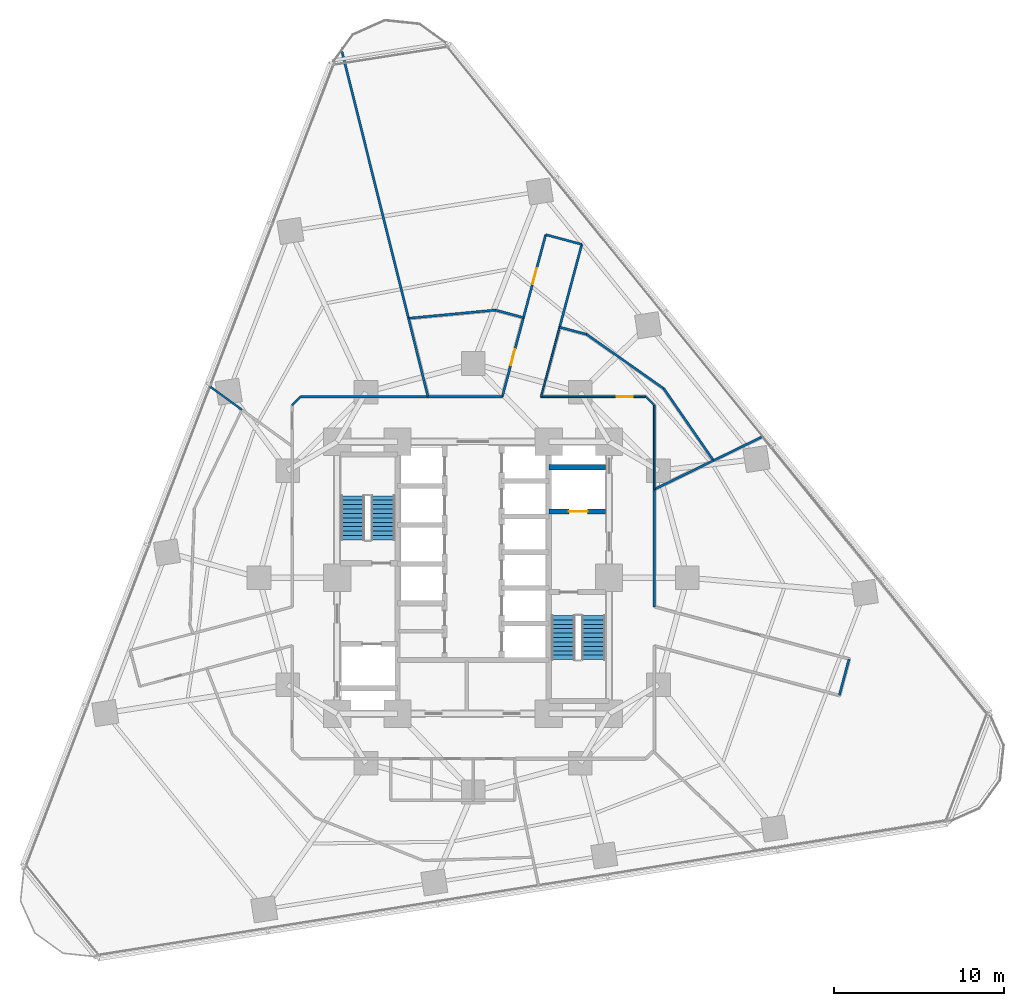
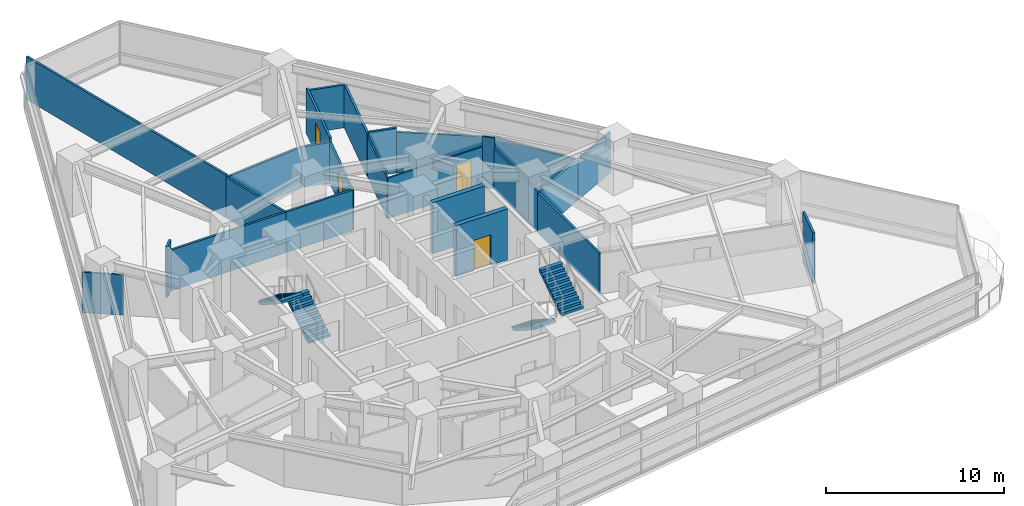
# One storey, part 9 of 14: 25 walls, 4 doors, 4 stair flights, 4 openings, 2 elements without a shape of their own.
"""IFC4 building model written with IfcOpenShell, lengths in metres."""

from ifc_helpers import new_model, si_unit, direction, frame, frame_2d, origin, place, context, subcontext, project, spatial, polyline, rectangle, outline, extrude, material, layer, layer_set, type_object, element, fill, aggregate, save


model = new_model("IFC4")

# Units and contexts
model_context = context("Model", 3, precision=1e-05, world=origin(), true_north=direction((0.0, 1.0)))
body_context = subcontext(model_context, "Body", "Model", "MODEL_VIEW")
ifc_project = project(units=[si_unit("LENGTHUNIT", "METRE"), si_unit("AREAUNIT", "SQUARE_METRE"), si_unit("VOLUMEUNIT", "CUBIC_METRE"), si_unit("PLANEANGLEUNIT", "RADIAN"), si_unit("MASSUNIT", "GRAM", prefix="KILO")], contexts=[model_context])

# Site, building, storey
site_placement = place(None, origin())
site = spatial("IfcSite", under=ifc_project, at=site_placement, CompositionType="ELEMENT")
building_placement = place(site_placement, origin())
building = spatial("IfcBuilding", under=site, at=building_placement, Name="Terralouvre Media Tower", CompositionType="ELEMENT")
storey_placement = place(building_placement, frame((0.0, 0.0, 66.699951171875)))
storey = spatial("IfcBuildingStorey", under=building, at=storey_placement, Name="L16", CompositionType="ELEMENT", Elevation=66.699951171875)

# Wall, opening, door
ifc_material_1 = material(Name="Concrete C50/60", Category="concrete")
ifc_layer_1 = layer(ifc_material_1, 0.300048828125, Name="Core Internal Shaft Wall CW-300")
ifc_layer_set_1 = layer_set([ifc_layer_1], Name="Concrete C50/60")
wall_type_1 = type_object("IfcWallType", Name="Core Internal Shaft Wall CW-300", PredefinedType="SHEAR", material=ifc_layer_set_1)
wall_1_placement = place(storey_placement, frame((4.449951171875, 3.89990234375, 0.0), z_axis=(0.0, 0.0, 1.0), x_axis=(1.0, 0.0, 0.0)))
wall_1 = element("IfcWall", 1, at=wall_1_placement, inside=storey, type_object=wall_type_1, Name="L16 Core Shaft Wall FF2S", PredefinedType="SHEAR", context=body_context, shape_type="SweptSolid", body=[
    extrude(rectangle(XDim=3.340087890625, YDim=0.300048828125, at=frame_2d((1.669921875, 0.0))), origin(), (0.0, 0.0, 1.0), 3.5),
])
opening_1_placement = place(wall_1_placement, frame((1.179931640625, 0.0, 0.0)))
opening_1 = element("IfcOpeningElement", 2, at=opening_1_placement, cuts=wall_1, Name="Opening LD-FF", PredefinedType="OPENING", context=body_context, shape_type="SweptSolid", body=[
    extrude(rectangle(XDim=1.10009765625, YDim=2.10009765625, at=frame_2d((0.550048828125, 1.050048828125))), frame((0.0, 0.159912109375, 0.0), z_axis=(0.0, -1.0, 0.0), x_axis=(1.0, 0.0, 0.0)), (0.0, 0.0, 1.0), 0.320068359375),
])
ifc_material_2 = material(Name="Stainless steel 316 handrail and balustrade", Category="steel")
door_type_1 = type_object("IfcDoorType", Name="Firefighting Lift Sliding Landing Door LD-FF", OperationType="SLIDING_TO_LEFT", PredefinedType="DOOR", material=ifc_material_2)
door_1_placement = place(opening_1_placement, origin())
door_1 = element("IfcDoor", 3, at=door_1_placement, inside=storey, type_object=door_type_1, Name="L16 Firefighting Lift FFL-02 Landing Door", OperationType="SLIDING_TO_LEFT", OverallHeight=2.10009765625, OverallWidth=1.10009765625, PredefinedType="DOOR", context=body_context, shape_type="SweptSolid", body=[
    extrude(rectangle(XDim=1.10009765625, YDim=2.10009765625, at=frame_2d((0.550048828125, 1.050048828125))), frame((0.0, 0.02490234375, 0.0), z_axis=(0.0, -1.0, 0.0), x_axis=(1.0, 0.0, 0.0)), (0.0, 0.0, 1.0), 0.050048828125),
])
fill(opening_1, door_1)

# Walls
wall_2_placement = place(storey_placement, frame((4.449951171875, 6.5, 0.0), z_axis=(0.0, 0.0, 1.0), x_axis=(1.0, 0.0, 0.0)))
element("IfcWall", 4, at=wall_2_placement, inside=storey, type_object=wall_type_1, Name="L16 Core Shaft Wall FF2N", PredefinedType="SHEAR", context=body_context, shape_type="SweptSolid", body=[
    extrude(rectangle(XDim=3.340087890625, YDim=0.300048828125, at=frame_2d((1.669921875, 0.0))), origin(), (0.0, 0.0, 1.0), 3.5),
])
ifc_material_3 = material(Name="Low-iron laminated double glazing with solar-control coating", Category="glass")
ifc_layer_2 = layer(ifc_material_3, 0.10009765625, Name="Demountable Glazed Office Partition PT-GL100")
ifc_layer_set_2 = layer_set([ifc_layer_2], Name="Low-iron laminated double glazing with solar-control coating")
wall_type_2 = type_object("IfcWallType", Name="Demountable Glazed Office Partition PT-GL100", PredefinedType="MOVABLE", material=ifc_layer_set_2)
wall_3_placement = place(storey_placement, frame((10.64990234375, 5.194091796875, 0.0), z_axis=(0.0, 0.0, 1.0), x_axis=(0.0, 1.0, 0.0)))
element("IfcWall", 5, at=wall_3_placement, inside=storey, type_object=wall_type_2, Name="L16 Interior Partition 020", PredefinedType="MOVABLE", context=body_context, shape_type="SweptSolid", body=[
    extrude(rectangle(XDim=4.955810546875, YDim=0.10009765625, at=frame_2d((2.47802734375, 0.0))), origin(), (0.0, 0.0, 1.0), 2.78515625),
])
wall_4_placement = place(storey_placement, frame((10.64990234375, 10.14990234375, 0.0), z_axis=(0.0, 0.0, 1.0), x_axis=(-0.707106781187, 0.707106781187, 0.0)))
element("IfcWall", 6, at=wall_4_placement, inside=storey, type_object=wall_type_2, Name="L16 Interior Partition 021", PredefinedType="MOVABLE", context=body_context, shape_type="SweptSolid", body=[
    extrude(rectangle(XDim=0.70703125, YDim=0.10009765625, at=frame_2d((0.353515625, 0.0))), origin(), (0.0, 0.0, 1.0), 3.5),
])

# Wall, opening, door
wall_5_placement = place(storey_placement, frame((10.14990234375, 10.64990234375, 0.0), z_axis=(0.0, 0.0, 1.0), x_axis=(-1.0, 0.0, 0.0)))
wall_5 = element("IfcWall", 7, at=wall_5_placement, inside=storey, type_object=wall_type_2, Name="L16 Interior Partition 022", PredefinedType="MOVABLE", context=body_context, shape_type="SweptSolid", body=[
    extrude(rectangle(XDim=6.157958984375, YDim=0.10009765625, at=frame_2d((3.0791015625, 0.0))), origin(), (0.0, 0.0, 1.0), 2.78515625),
])
opening_2_placement = place(wall_5_placement, frame((0.756591796875, 0.0, 0.0)))
opening_2 = element("IfcOpeningElement", 8, at=opening_2_placement, cuts=wall_5, Name="Opening ID-02-95X210", PredefinedType="OPENING", context=body_context, shape_type="SweptSolid", body=[
    extrude(rectangle(XDim=0.949951171875, YDim=2.10009765625, at=frame_2d((0.47509765625, 1.050048828125))), frame((0.0, 0.06005859375, 0.0), z_axis=(0.0, -1.0, 0.0), x_axis=(1.0, 0.0, 0.0)), (0.0, 0.0, 1.0), 0.1201171875),
])
ifc_material_4 = material(Name="Engineered hardwood acoustic timber leaf", Category="wood")
door_type_2 = type_object("IfcDoorType", Name="Office and Meeting Room Door ID-02 (950x2100)", OperationType="NOTDEFINED", PredefinedType="DOOR", material=ifc_material_4)
door_2_placement = place(opening_2_placement, origin())
door_2 = element("IfcDoor", 9, at=door_2_placement, inside=storey, type_object=door_type_2, Name="L16 Program Schedule Briefing Room 7 Door", OperationType="SINGLE_SWING_RIGHT", OverallHeight=2.10009765625, OverallWidth=0.949951171875, PredefinedType="DOOR", context=body_context, shape_type="SweptSolid", body=[
    extrude(rectangle(XDim=0.949951171875, YDim=2.10009765625, at=frame_2d((0.47509765625, 1.050048828125))), frame((0.0, 0.02490234375, 0.0), z_axis=(0.0, -1.0, 0.0), x_axis=(1.0, 0.0, 0.0)), (0.0, 0.0, 1.0), 0.050048828125),
])
fill(opening_2, door_2)

# Walls
wall_6_placement = place(storey_placement, frame((3.991943359375, 10.64990234375, 0.0), z_axis=(0.0, 0.0, 1.0), x_axis=(0.258975157658, 0.965883982534, 0.0)))
element("IfcWall", 10, at=wall_6_placement, inside=storey, type_object=wall_type_2, Name="L16 Interior Partition 023", PredefinedType="MOVABLE", context=body_context, shape_type="SweptSolid", body=[
    extrude(rectangle(XDim=4.236572265625, YDim=0.10009765625, at=frame_2d((2.1181640625, 0.0))), origin(), (0.0, 0.0, 1.0), 2.78515625),
])
ifc_material_5 = material(Name="Fire-rated gypsum board drywall partition")
ifc_layer_3 = layer(ifc_material_5, 0.135009765625, Name="Newsroom Acoustic Partition PT-135")
ifc_layer_set_3 = layer_set([ifc_layer_3], Name="Fire-rated gypsum board drywall partition")
wall_type_3 = type_object("IfcWallType", Name="Newsroom Acoustic Partition PT-135", PredefinedType="PARTITIONING", material=ifc_layer_set_3)
wall_7_placement = place(storey_placement, frame((21.544921875, -6.912109375, 0.0), z_axis=(0.0, 0.0, 1.0), x_axis=(0.259105843213, 0.965848933329, 0.0)))
element("IfcWall", 11, at=wall_7_placement, inside=storey, type_object=wall_type_3, Name="L16 Interior Partition 003", PredefinedType="PARTITIONING", context=body_context, shape_type="SweptSolid", body=[
    extrude(rectangle(XDim=2.2001953125, YDim=0.135009765625, at=frame_2d((1.10009765625, 0.0))), origin(), (0.0, 0.0, 1.0), 3.5),
])
wall_8_placement = place(storey_placement, frame((10.64990234375, -1.715087890625, 0.0), z_axis=(0.0, 0.0, 1.0), x_axis=(0.0, 1.0, 0.0)))
element("IfcWall", 12, at=wall_8_placement, inside=storey, type_object=wall_type_3, Name="L16 Interior Partition 005", PredefinedType="PARTITIONING", context=body_context, shape_type="SweptSolid", body=[
    extrude(rectangle(XDim=6.9091796875, YDim=0.135009765625, at=frame_2d((3.45458984375, 0.0))), origin(), (0.0, 0.0, 1.0), 2.78515625),
])

# Wall, opening, door
wall_9_placement = place(storey_placement, frame((2.962890625, 15.305908203125, 0.0), z_axis=(0.0, 0.0, 1.0), x_axis=(-0.25886350996, -0.965913910869, 0.0)))
wall_9 = element("IfcWall", 13, at=wall_9_placement, inside=storey, type_object=wall_type_3, Name="L16 Interior Partition 010", PredefinedType="PARTITIONING", context=body_context, shape_type="SweptSolid", body=[
    extrude(rectangle(XDim=4.8203125, YDim=0.135009765625, at=frame_2d((2.41015625, 0.0))), origin(), (0.0, 0.0, 1.0), 2.78515625),
])
opening_3_placement = place(wall_9_placement, frame((1.935302734375, 0.0, 0.0)))
opening_3 = element("IfcOpeningElement", 14, at=opening_3_placement, cuts=wall_9, Name="Opening ID-02-95X210", PredefinedType="OPENING", context=body_context, shape_type="SweptSolid", body=[
    extrude(rectangle(XDim=0.949951171875, YDim=2.10009765625, at=frame_2d((0.47509765625, 1.050048828125))), frame((0.0, 0.077392578125, 0.0), z_axis=(0.0, -1.0, 0.0), x_axis=(1.0, 0.0, 0.0)), (0.0, 0.0, 1.0), 0.155029296875),
])
door_3_placement = place(opening_3_placement, origin())
door_3 = element("IfcDoor", 15, at=door_3_placement, inside=storey, type_object=door_type_2, Name="L16 Editorial Collaborative Open Office 3 Door", OperationType="SINGLE_SWING_RIGHT", OverallHeight=2.10009765625, OverallWidth=0.949951171875, PredefinedType="DOOR", context=body_context, shape_type="SweptSolid", body=[
    extrude(rectangle(XDim=0.949951171875, YDim=2.10009765625, at=frame_2d((0.47509765625, 1.050048828125))), frame((0.0, 0.02490234375, 0.0), z_axis=(0.0, -1.0, 0.0), x_axis=(1.0, 0.0, 0.0)), (0.0, 0.0, 1.0), 0.050048828125),
])
fill(opening_3, door_3)

# Walls
wall_10_placement = place(storey_placement, frame((1.715087890625, 10.64990234375, 0.0), z_axis=(0.0, 0.0, 1.0), x_axis=(-1.0, 0.0, 0.0)))
element("IfcWall", 16, at=wall_10_placement, inside=storey, type_object=wall_type_3, Name="L16 Interior Partition 011", PredefinedType="PARTITIONING", context=body_context, shape_type="SweptSolid", body=[
    extrude(rectangle(XDim=4.3701171875, YDim=0.135009765625, at=frame_2d((2.18505859375, 0.0))), origin(), (0.0, 0.0, 1.0), 2.78515625),
])
wall_11_placement = place(storey_placement, frame((5.089111328125, 14.741943359375, 0.0), z_axis=(0.0, 0.0, 1.0), x_axis=(0.258768350918, 0.965939408329, 0.0)))
element("IfcWall", 17, at=wall_11_placement, inside=storey, type_object=wall_type_3, Name="L16 Interior Partition 015", PredefinedType="PARTITIONING", context=body_context, shape_type="SweptSolid", body=[
    extrude(rectangle(XDim=5.04296875, YDim=0.135009765625, at=frame_2d((2.521484375, 0.0))), origin(), (0.0, 0.0, 1.0), 2.93505859375),
])
wall_12_placement = place(storey_placement, frame((6.39404296875, 19.613037109375, 0.0), z_axis=(0.0, 0.0, 1.0), x_axis=(-0.965848933329, 0.259105843213, 0.0)))
element("IfcWall", 18, at=wall_12_placement, inside=storey, type_object=wall_type_3, Name="L16 Interior Partition 016", PredefinedType="PARTITIONING", context=body_context, shape_type="SweptSolid", body=[
    extrude(rectangle(XDim=2.2001953125, YDim=0.135009765625, at=frame_2d((1.10009765625, 0.0))), origin(), (0.0, 0.0, 1.0), 2.93505859375),
])

# Wall, opening, door
wall_13_placement = place(storey_placement, frame((4.26904296875, 20.18310546875, 0.0), z_axis=(0.0, 0.0, 1.0), x_axis=(-0.258691774004, -0.965959919491, 0.0)))
wall_13 = element("IfcWall", 19, at=wall_13_placement, inside=storey, type_object=wall_type_3, Name="L16 Interior Partition 017", PredefinedType="PARTITIONING", context=body_context, shape_type="SweptSolid", body=[
    extrude(rectangle(XDim=5.049072265625, YDim=0.135009765625, at=frame_2d((2.5244140625, 0.0))), origin(), (0.0, 0.0, 1.0), 3.0849609375),
])
opening_4_placement = place(wall_13_placement, frame((2.04931640625, 0.0, 0.0)))
opening_4 = element("IfcOpeningElement", 20, at=opening_4_placement, cuts=wall_13, Name="Opening ID-02-95X210", PredefinedType="OPENING", context=body_context, shape_type="SweptSolid", body=[
    extrude(rectangle(XDim=0.949951171875, YDim=2.10009765625, at=frame_2d((0.47509765625, 1.050048828125))), frame((0.0, 0.077392578125, 0.0), z_axis=(0.0, -1.0, 0.0), x_axis=(1.0, 0.0, 0.0)), (0.0, 0.0, 1.0), 0.155029296875),
])
door_4_placement = place(opening_4_placement, origin())
door_4 = element("IfcDoor", 21, at=door_4_placement, inside=storey, type_object=door_type_2, Name="L16 Microphone Locker Store 5 Door", OperationType="SINGLE_SWING_RIGHT", OverallHeight=2.10009765625, OverallWidth=0.949951171875, PredefinedType="DOOR", context=body_context, shape_type="SweptSolid", body=[
    extrude(rectangle(XDim=0.949951171875, YDim=2.10009765625, at=frame_2d((0.47509765625, 1.050048828125))), frame((0.0, 0.02490234375, 0.0), z_axis=(0.0, -1.0, 0.0), x_axis=(1.0, 0.0, 0.0)), (0.0, 0.0, 1.0), 0.050048828125),
])
fill(opening_4, door_4)

# Walls
wall_14_placement = place(storey_placement, frame((-2.655029296875, 10.64990234375, 0.0), z_axis=(0.0, 0.0, 1.0), x_axis=(-1.0, 0.0, 0.0)))
element("IfcWall", 22, at=wall_14_placement, inside=storey, type_object=wall_type_3, Name="L16 Interior Partition 029", PredefinedType="PARTITIONING", context=body_context, shape_type="SweptSolid", body=[
    extrude(rectangle(XDim=7.494873046875, YDim=0.135009765625, at=frame_2d((3.74755859375, 0.0))), origin(), (0.0, 0.0, 1.0), 2.78515625),
])
wall_15_placement = place(storey_placement, frame((-10.14990234375, 10.64990234375, 0.0), z_axis=(0.0, 0.0, 1.0), x_axis=(-0.707106781187, -0.707106781187, 0.0)))
element("IfcWall", 23, at=wall_15_placement, inside=storey, type_object=wall_type_3, Name="L16 Interior Partition 030", PredefinedType="PARTITIONING", context=body_context, shape_type="SweptSolid", body=[
    extrude(rectangle(XDim=0.70703125, YDim=0.135009765625, at=frame_2d((0.353515625, 0.0))), origin(), (0.0, 0.0, 1.0), 3.5),
])
wall_16_placement = place(storey_placement, frame((17.081787109375, 8.33203125, 0.0), z_axis=(0.0, 0.0, 1.0), x_axis=(-0.898652301999, -0.438661646503, 0.0)))
element("IfcWall", 24, at=wall_16_placement, inside=storey, type_object=wall_type_3, Name="L16 Interior Partition 032", PredefinedType="PARTITIONING", context=body_context, shape_type="SweptSolid", body=[
    extrude(rectangle(XDim=3.273681640625, YDim=0.135009765625, at=frame_2d((1.63671875, 0.0))), origin(), (0.0, 0.0, 1.0), 2.78515625),
])
wall_17_placement = place(storey_placement, frame((14.139892578125, 6.89599609375, 0.0), z_axis=(0.0, 0.0, 1.0), x_axis=(-0.898822220958, -0.438313375467, 0.0)))
element("IfcWall", 25, at=wall_17_placement, inside=storey, type_object=wall_type_3, Name="L16 Interior Partition 033", PredefinedType="PARTITIONING", context=body_context, shape_type="SweptSolid", body=[
    extrude(rectangle(XDim=3.8828125, YDim=0.135009765625, at=frame_2d((1.94140625, 0.0))), origin(), (0.0, 0.0, 1.0), 2.78515625),
])
wall_18_placement = place(storey_placement, frame((2.962890625, 15.305908203125, 0.0), z_axis=(0.0, 0.0, 1.0), x_axis=(-0.966393308076, 0.257068034001, 0.0)))
element("IfcWall", 26, at=wall_18_placement, inside=storey, type_object=wall_type_3, Name="L16 Interior Partition 045", PredefinedType="PARTITIONING", context=body_context, shape_type="SweptSolid", body=[
    extrude(rectangle(XDim=1.71240234375, YDim=0.135009765625, at=frame_2d((0.856201171875, 0.0))), origin(), (0.0, 0.0, 1.0), 2.78515625),
])
wall_19_placement = place(storey_placement, frame((1.30810546875, 15.74609375, 0.0), z_axis=(0.0, 0.0, 1.0), x_axis=(-0.995602282193, -0.09368081817, 0.0)))
element("IfcWall", 27, at=wall_19_placement, inside=storey, type_object=wall_type_3, Name="L16 Interior Partition 046", PredefinedType="PARTITIONING", context=body_context, shape_type="SweptSolid", body=[
    extrude(rectangle(XDim=5.13671875, YDim=0.135009765625, at=frame_2d((2.568359375, 0.0))), origin(), (0.0, 0.0, 1.0), 2.78515625),
])
wall_20_placement = place(storey_placement, frame((-3.805908203125, 15.264892578125, 0.0), z_axis=(0.0, 0.0, 1.0), x_axis=(0.241967938053, -0.970284245443, 0.0)))
element("IfcWall", 28, at=wall_20_placement, inside=storey, type_object=wall_type_3, Name="L16 Interior Partition 047", PredefinedType="PARTITIONING", context=body_context, shape_type="SweptSolid", body=[
    extrude(rectangle(XDim=4.75634765625, YDim=0.135009765625, at=frame_2d((2.378173828125, 0.0))), origin(), (0.0, 0.0, 1.0), 2.78515625),
])
wall_21_placement = place(storey_placement, frame((5.089111328125, 14.741943359375, 0.0), z_axis=(0.0, 0.0, 1.0), x_axis=(0.966471299447, -0.256774662584, 0.0)))
element("IfcWall", 29, at=wall_21_placement, inside=storey, type_object=wall_type_3, Name="L16 Interior Partition 053", PredefinedType="PARTITIONING", context=body_context, shape_type="SweptSolid", body=[
    extrude(rectangle(XDim=1.64306640625, YDim=0.135009765625, at=frame_2d((0.821533203125, 0.0))), origin(), (0.0, 0.0, 1.0), 3.0849609375),
])
wall_22_placement = place(storey_placement, frame((6.677001953125, 14.320068359375, 0.0), z_axis=(0.0, 0.0, 1.0), x_axis=(0.817854672362, -0.575424829926, 0.0)))
element("IfcWall", 30, at=wall_22_placement, inside=storey, type_object=wall_type_3, Name="L16 Interior Partition 054", PredefinedType="PARTITIONING", context=body_context, shape_type="SweptSolid", body=[
    extrude(rectangle(XDim=5.555908203125, YDim=0.135009765625, at=frame_2d((2.77783203125, 0.0))), origin(), (0.0, 0.0, 1.0), 2.78515625),
])
wall_23_placement = place(storey_placement, frame((11.220947265625, 11.123046875, 0.0), z_axis=(0.0, 0.0, 1.0), x_axis=(0.568225964568, -0.822872561938, 0.0)))
element("IfcWall", 31, at=wall_23_placement, inside=storey, type_object=wall_type_3, Name="L16 Interior Partition 055", PredefinedType="PARTITIONING", context=body_context, shape_type="SweptSolid", body=[
    extrude(rectangle(XDim=5.136962890625, YDim=0.135009765625, at=frame_2d((2.568359375, 0.0))), origin(), (0.0, 0.0, 1.0), 2.78515625),
])
wall_24_placement = place(storey_placement, frame((-7.7177734375, 30.9541015625, 0.0), z_axis=(0.0, 0.0, 1.0), x_axis=(0.241928072824, -0.9702941861, 0.0)))
element("IfcWall", 32, at=wall_24_placement, inside=storey, type_object=wall_type_3, Name="L16 Interior Partition 056", PredefinedType="PARTITIONING", context=body_context, shape_type="SweptSolid", body=[
    extrude(rectangle(XDim=16.16943359375, YDim=0.135009765625, at=frame_2d((8.084716796875, 0.0))), origin(), (0.0, 0.0, 1.0), 2.93505859375),
])
ifc_material_6 = material(Name="Fire-rated gypsum board drywall partition")
ifc_layer_4 = layer(ifc_material_6, 0.114990234375, Name="Restroom and Pantry Partition PT-115")
ifc_layer_set_4 = layer_set([ifc_layer_4], Name="Fire-rated gypsum board drywall partition")
wall_type_4 = type_object("IfcWallType", Name="Restroom and Pantry Partition PT-115", PredefinedType="PARTITIONING", material=ifc_layer_set_4)
wall_25_placement = place(storey_placement, frame((-13.60302734375, 9.883056640625, 0.0), z_axis=(0.0, 0.0, 1.0), x_axis=(-0.808955448279, 0.587869953901, 0.0)))
element("IfcWall", 33, at=wall_25_placement, inside=storey, type_object=wall_type_4, Name="L16 Interior Partition 052", PredefinedType="PARTITIONING", context=body_context, shape_type="SweptSolid", body=[
    extrude(rectangle(XDim=2.357666015625, YDim=0.114990234375, at=frame_2d((1.1787109375, 0.0))), origin(), (0.0, 0.0, 1.0), 2.78515625),
])

# Stair, stair flights
ifc_material_7 = material(Name="Concrete C45/55", Category="concrete")
stair_type_1 = type_object("IfcStairType", Name="Dogleg Stair Assembly ST-01", PredefinedType="HALF_TURN_STAIR", material=ifc_material_7)
stair_1_placement = place(storey_placement, origin())
stair_1 = element("IfcStair", 34, at=stair_1_placement, inside=storey, type_object=stair_type_1, Name="L16 Core Pressurised Exit Stair ST-01", PredefinedType="HALF_TURN_STAIR")
ifc_material_8 = material(Name="Concrete C45/55", Category="concrete")
stair_flight_type = type_object("IfcStairFlightType", Name="Reinforced Concrete Stair Flight SF-RC1", PredefinedType="STRAIGHT", material=ifc_material_8)
stair_flight_1_placement = place(storey_placement, frame((-5.300048828125, 2.219970703125, 0.0), z_axis=(0.0, 0.0, 1.0), x_axis=(0.0, 1.0, 0.0)))
stair_flight_1 = element("IfcStairFlight", 35, at=stair_flight_1_placement, type_object=stair_flight_type, Name="ST-01 flight 1", NumberOfRisers=11, NumberOfTreads=10, PredefinedType="STRAIGHT", RiserHeight=0.168181818, TreadLength=0.26, context=body_context, shape_type="SweptSolid", body=[
    extrude(outline(polyline([(0.0, 0.0), (0.0, 0.168212890625), (0.260009765625, 0.168212890625), (0.260009765625, 0.33642578125), (0.52001953125, 0.33642578125), (0.52001953125, 0.504638671875), (0.780029296875, 0.504638671875), (0.780029296875, 0.672607421875), (1.0400390625, 0.672607421875), (1.0400390625, 0.8408203125), (1.300048828125, 0.8408203125), (1.300048828125, 1.009033203125), (1.56005859375, 1.009033203125), (1.56005859375, 1.17724609375), (1.820068359375, 1.17724609375), (1.820068359375, 1.345458984375), (2.080078125, 1.345458984375), (2.080078125, 1.513671875), (2.340087890625, 1.513671875), (2.340087890625, 1.681884765625), (2.60009765625, 1.681884765625), (2.60009765625, 1.85009765625), (2.60009765625, 1.503173828125), (0.27587890625, 0.0), (0.0, 0.0)])), frame((0.0, 0.699951171875, 0.0), z_axis=(0.0, -1.0, 0.0), x_axis=(1.0, 0.0, 0.0)), (0.0, 0.0, 1.0), 1.39990234375),
])
stair_flight_2_placement = place(storey_placement, frame((-7.080078125, 4.820068359375, 1.85009765625), z_axis=(0.0, 0.0, 1.0), x_axis=(0.0, -1.0, 0.0)))
stair_flight_2 = element("IfcStairFlight", 36, at=stair_flight_2_placement, type_object=stair_flight_type, Name="ST-01 flight 2", NumberOfRisers=11, NumberOfTreads=10, PredefinedType="STRAIGHT", RiserHeight=0.168181818, TreadLength=0.26, context=body_context, shape_type="SweptSolid", body=[
    extrude(outline(polyline([(0.0, 0.0), (0.0, 0.168212890625), (0.260009765625, 0.168212890625), (0.260009765625, 0.33642578125), (0.52001953125, 0.33642578125), (0.52001953125, 0.504638671875), (0.780029296875, 0.504638671875), (0.780029296875, 0.672607421875), (1.0400390625, 0.672607421875), (1.0400390625, 0.8408203125), (1.300048828125, 0.8408203125), (1.300048828125, 1.009033203125), (1.56005859375, 1.009033203125), (1.56005859375, 1.17724609375), (1.820068359375, 1.17724609375), (1.820068359375, 1.345458984375), (2.080078125, 1.345458984375), (2.080078125, 1.513671875), (2.340087890625, 1.513671875), (2.340087890625, 1.681884765625), (2.60009765625, 1.681884765625), (2.60009765625, 1.85009765625), (2.60009765625, 1.503173828125), (0.27587890625, 0.0), (0.0, 0.0)])), frame((0.0, 0.699951171875, 0.0), z_axis=(0.0, -1.0, 0.0), x_axis=(1.0, 0.0, 0.0)), (0.0, 0.0, 1.0), 1.39990234375),
])
aggregate(stair_1, [stair_flight_1, stair_flight_2])

ifc_material_9 = material(Name="Concrete C45/55", Category="concrete")
stair_type_2 = type_object("IfcStairType", Name="Dogleg Stair Assembly ST-02", PredefinedType="HALF_TURN_STAIR", material=ifc_material_9)
stair_2_placement = place(storey_placement, origin())
stair_2 = element("IfcStair", 37, at=stair_2_placement, inside=storey, type_object=stair_type_2, Name="L16 Core Pressurised Exit Stair ST-02", PredefinedType="HALF_TURN_STAIR")
stair_flight_3_placement = place(storey_placement, frame((5.300048828125, -2.219970703125, 0.0), z_axis=(0.0, 0.0, 1.0), x_axis=(0.0, -1.0, 0.0)))
stair_flight_3 = element("IfcStairFlight", 38, at=stair_flight_3_placement, type_object=stair_flight_type, Name="ST-02 flight 1", NumberOfRisers=11, NumberOfTreads=10, PredefinedType="STRAIGHT", RiserHeight=0.168181818, TreadLength=0.26, context=body_context, shape_type="SweptSolid", body=[
    extrude(outline(polyline([(0.0, 0.0), (0.0, 0.168212890625), (0.260009765625, 0.168212890625), (0.260009765625, 0.33642578125), (0.52001953125, 0.33642578125), (0.52001953125, 0.504638671875), (0.780029296875, 0.504638671875), (0.780029296875, 0.672607421875), (1.0400390625, 0.672607421875), (1.0400390625, 0.8408203125), (1.300048828125, 0.8408203125), (1.300048828125, 1.009033203125), (1.56005859375, 1.009033203125), (1.56005859375, 1.17724609375), (1.820068359375, 1.17724609375), (1.820068359375, 1.345458984375), (2.080078125, 1.345458984375), (2.080078125, 1.513671875), (2.340087890625, 1.513671875), (2.340087890625, 1.681884765625), (2.60009765625, 1.681884765625), (2.60009765625, 1.85009765625), (2.60009765625, 1.503173828125), (0.27587890625, 0.0), (0.0, 0.0)])), frame((0.0, 0.699951171875, 0.0), z_axis=(0.0, -1.0, 0.0), x_axis=(1.0, 0.0, 0.0)), (0.0, 0.0, 1.0), 1.39990234375),
])
stair_flight_4_placement = place(storey_placement, frame((7.080078125, -4.820068359375, 1.85009765625), z_axis=(0.0, 0.0, 1.0), x_axis=(0.0, 1.0, 0.0)))
stair_flight_4 = element("IfcStairFlight", 39, at=stair_flight_4_placement, type_object=stair_flight_type, Name="ST-02 flight 2", NumberOfRisers=11, NumberOfTreads=10, PredefinedType="STRAIGHT", RiserHeight=0.168181818, TreadLength=0.26, context=body_context, shape_type="SweptSolid", body=[
    extrude(outline(polyline([(0.0, 0.0), (0.0, 0.168212890625), (0.260009765625, 0.168212890625), (0.260009765625, 0.33642578125), (0.52001953125, 0.33642578125), (0.52001953125, 0.504638671875), (0.780029296875, 0.504638671875), (0.780029296875, 0.672607421875), (1.0400390625, 0.672607421875), (1.0400390625, 0.8408203125), (1.300048828125, 0.8408203125), (1.300048828125, 1.009033203125), (1.56005859375, 1.009033203125), (1.56005859375, 1.17724609375), (1.820068359375, 1.17724609375), (1.820068359375, 1.345458984375), (2.080078125, 1.345458984375), (2.080078125, 1.513671875), (2.340087890625, 1.513671875), (2.340087890625, 1.681884765625), (2.60009765625, 1.681884765625), (2.60009765625, 1.85009765625), (2.60009765625, 1.503173828125), (0.27587890625, 0.0), (0.0, 0.0)])), frame((0.0, 0.699951171875, 0.0), z_axis=(0.0, -1.0, 0.0), x_axis=(1.0, 0.0, 0.0)), (0.0, 0.0, 1.0), 1.39990234375),
])
aggregate(stair_2, [stair_flight_3, stair_flight_4])

save(model, "model.ifc")
